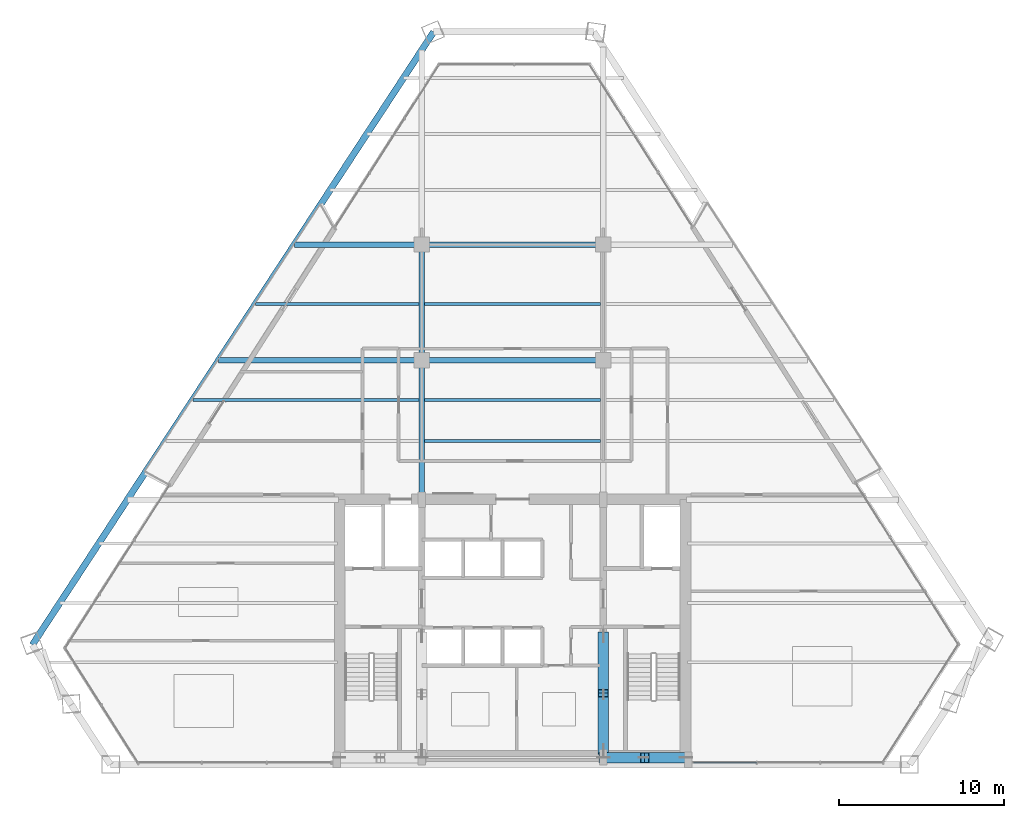
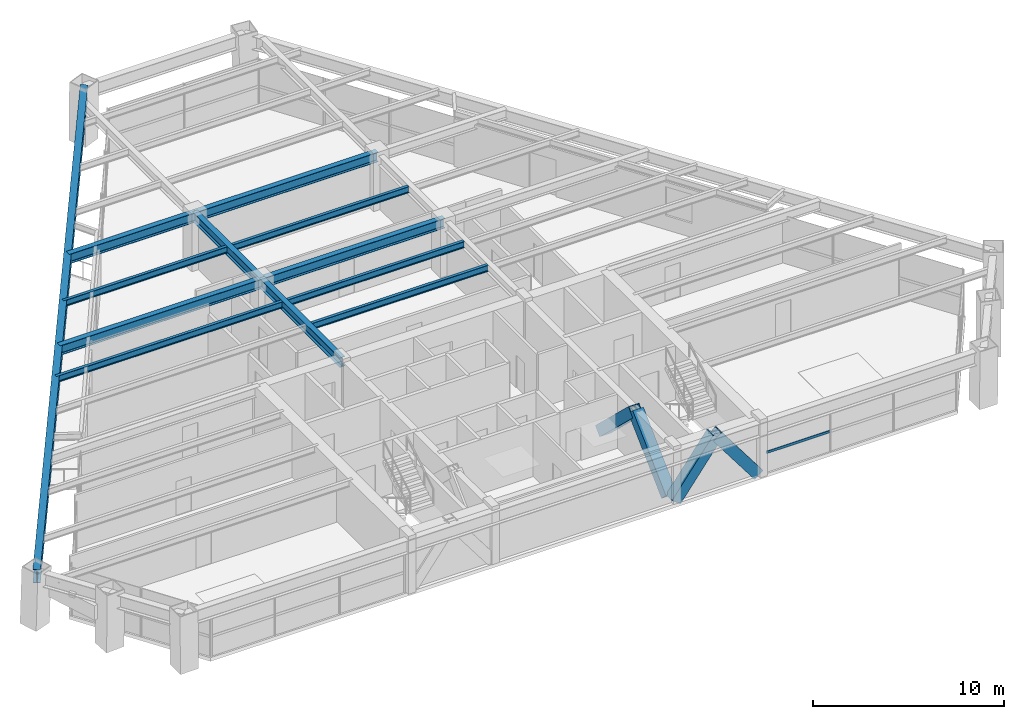
# One storey, part 5 of 15: 12 beams, 5 members, 1 element without a shape of its own.
"""IFC4 building model written with IfcOpenShell, lengths in metres."""

from ifc_helpers import new_model, si_unit, direction, frame, origin, origin_2d, place, context, subcontext, project, spatial, rectangle, hollow_rectangle, i_section, extrude, source, transform, mapped, material, material_profile, profile_set, type_object, type_shapes, element, aggregate, save


model = new_model("IFC4")

# Units and contexts
model_context = context("Model", 3, precision=1e-05, world=origin(), true_north=direction((0.0, 1.0)))
body_context = subcontext(model_context, "Body", "Model", "MODEL_VIEW")
ifc_project = project(units=[si_unit("LENGTHUNIT", "METRE"), si_unit("AREAUNIT", "SQUARE_METRE"), si_unit("VOLUMEUNIT", "CUBIC_METRE"), si_unit("PLANEANGLEUNIT", "RADIAN"), si_unit("MASSUNIT", "GRAM", prefix="KILO")], contexts=[model_context])

# Site, building, storey
site_placement = place(None, origin())
site = spatial("IfcSite", under=ifc_project, at=site_placement, CompositionType="ELEMENT")
building_placement = place(site_placement, origin())
building = spatial("IfcBuilding", under=site, at=building_placement, Name="Varnakhor Terracotta Tower", CompositionType="ELEMENT")
storey_placement = place(building_placement, frame((0.0, 0.0, 155.199951171875)))
storey = spatial("IfcBuildingStorey", under=building, at=storey_placement, Name="L39", CompositionType="ELEMENT", Elevation=155.199951171875)

# Beams
ifc_material_1 = material(Name="Steel S355", Category="steel")
ifc_material_profile_1 = material_profile(ifc_material_1, i_section(OverallWidth=0.324951171875, OverallDepth=0.615966796875, WebThickness=0.013916015625, FlangeThickness=0.02197265625, FilletRadius=0.01806640625, at=origin_2d()), Name="W24X117")
ifc_profile_set_1 = profile_set([ifc_material_profile_1], Name="Steel S355")
beam_type_1 = type_object("IfcBeamType", Name="BM-W24X117", PredefinedType="BEAM", material=ifc_profile_set_1)
shared_shape_1 = source(origin(), body_context, "Body", "SweptSolid", [
    extrude(i_section(OverallWidth=0.324951171875, OverallDepth=0.615966796875, WebThickness=0.013916015625, FlangeThickness=0.02197265625, FilletRadius=0.01806640625, at=origin_2d()), origin(), (0.0, 0.0, 1.0), 8.449951171875),
])
type_shapes(beam_type_1, [shared_shape_1])
beam_1_placement = place(storey_placement, frame((-5.5, 16.050048828125, 3.162109375), z_axis=(0.0, 1.0, 0.0), x_axis=(-1.0, 0.0, 0.0)))
element("IfcBeam", 1, at=beam_1_placement, inside=storey, type_object=beam_type_1, Name="L39 Primary Girder NS1-W", PredefinedType="BEAM", context=body_context, shape_type="MappedRepresentation", body=[
    mapped(shared_shape_1, transform((0.0, 0.0, 0.0), scale=1.0)),
])
shared_shape_2 = source(origin(), body_context, "Body", "SweptSolid", [
    extrude(i_section(OverallWidth=0.324951171875, OverallDepth=0.615966796875, WebThickness=0.013916015625, FlangeThickness=0.02197265625, FilletRadius=0.01806640625, at=origin_2d()), origin(), (0.0, 0.0, 1.0), 7.0),
])
beam_2_placement = place(storey_placement, frame((-5.5, 24.5, 3.162109375), z_axis=(0.0, 1.0, 0.0), x_axis=(-1.0, 0.0, 0.0)))
element("IfcBeam", 2, at=beam_2_placement, inside=storey, type_object=beam_type_1, Name="L39 Primary Girder NS2-W", PredefinedType="BEAM", context=body_context, shape_type="MappedRepresentation", body=[
    mapped(shared_shape_2, transform((0.0, 0.0, 0.0), scale=1.0)),
])
shared_shape_3 = source(origin(), body_context, "Body", "SweptSolid", [
    extrude(i_section(OverallWidth=0.324951171875, OverallDepth=0.615966796875, WebThickness=0.013916015625, FlangeThickness=0.02197265625, FilletRadius=0.01806640625, at=origin_2d()), origin(), (0.0, 0.0, 1.0), 11.0),
])
for number, where, z_axis, x_axis, name in (
    (3, (-5.5, 24.5, 3.162109375), (1.0, 0.0, 0.0), (0.0, 1.0, 0.0), "L39 Primary Girder EW2-2"),
    (4, (-5.5, 31.5, 3.162109375), (1.0, 0.0, 0.0), (0.0, 1.0, 0.0), "L39 Primary Girder EW3-2"),
):
    element("IfcBeam", number, at=place(storey_placement, frame(where, z_axis=z_axis, x_axis=x_axis)), inside=storey, type_object=beam_type_1, Name=name, PredefinedType="BEAM", context=body_context, shape_type="MappedRepresentation", body=[
        mapped(shared_shape_3, transform((0.0, 0.0, 0.0), scale=1.0)),
    ])
ifc_material_profile_2 = material_profile(ifc_material_1, i_section(OverallWidth=0.179931640625, OverallDepth=0.4130859375, WebThickness=0.009765625, FlangeThickness=0.01611328125, FilletRadius=0.01806640625, at=origin_2d()), Name="W16X50")
ifc_profile_set_2 = profile_set([ifc_material_profile_2], Name="Steel S355")
beam_type_2 = type_object("IfcBeamType", Name="JST-W16X50", PredefinedType="JOIST", material=ifc_profile_set_2)
shared_shape_4 = source(origin(), body_context, "Body", "SweptSolid", [
    extrude(i_section(OverallWidth=0.179931640625, OverallDepth=0.4130859375, WebThickness=0.009765625, FlangeThickness=0.01611328125, FilletRadius=0.01806640625, at=origin_2d()), origin(), (0.0, 0.0, 1.0), 10.68310546875),
])
for number, where, z_axis, x_axis, name in (
    (5, (-5.341552734375, 19.60009765625, 3.263427734375), (1.0, 0.0, 0.0), (0.0, 1.0, 0.0), "L39 Composite Floor Joist 4-2"),
    (6, (-5.341552734375, 22.10009765625, 3.263427734375), (1.0, 0.0, 0.0), (0.0, 1.0, 0.0), "L39 Composite Floor Joist 5-2"),
    (7, (-5.341552734375, 27.89990234375, 3.263427734375), (1.0, 0.0, 0.0), (0.0, 1.0, 0.0), "L39 Composite Floor Joist 6-2"),
):
    element("IfcBeam", number, at=place(storey_placement, frame(where, z_axis=z_axis, x_axis=x_axis)), inside=storey, type_object=beam_type_2, Name=name, PredefinedType="JOIST", context=body_context, shape_type="MappedRepresentation", body=[
        mapped(shared_shape_4, transform((0.0, 0.0, 0.0), scale=1.0)),
    ])

# Members
ifc_material_2 = material(Name="Steel S460", Category="steel")
ifc_material_profile_3 = material_profile(ifc_material_2, hollow_rectangle(XDim=0.64990234375, YDim=0.64990234375, WallThickness=0.0400390625, at=origin_2d()), Name="HSS650X650X40")
ifc_profile_set_3 = profile_set([ifc_material_profile_3], Name="Steel S460")
member_type_1 = type_object("IfcMemberType", Name="MBR-MEGA-650", PredefinedType="BRACE", material=ifc_profile_set_3)
shared_shape_5 = source(origin(), body_context, "Body", "SweptSolid", [
    extrude(hollow_rectangle(XDim=0.64990234375, YDim=0.64990234375, WallThickness=0.0400390625, at=origin_2d()), origin(), (0.0, 0.0, 1.0), 4.805908203125),
])
member_1_placement = place(storey_placement, frame((5.5, 0.85009765625, 0.0), z_axis=(0.0, 0.723026776832, 0.69082000549), x_axis=(-1.0, 0.0, 0.0)))
element("IfcMember", 8, at=member_1_placement, inside=storey, type_object=member_type_1, Name="L39 Core Coupled Brace CWEA", PredefinedType="BRACE", context=body_context, shape_type="MappedRepresentation", body=[
    mapped(shared_shape_5, transform((0.0, 0.0, 0.0), scale=1.0)),
])
shared_shape_6 = source(origin(), body_context, "Body", "SweptSolid", [
    extrude(hollow_rectangle(XDim=0.64990234375, YDim=0.64990234375, WallThickness=0.0400390625, at=origin_2d()), origin(), (0.0, 0.0, 1.0), 4.156005859375),
])
for number, where, z_axis, x_axis, name in (
    (9, (5.5, 0.419921875, 0.0), (0.601530923869, 0.0, 0.798849515009), (0.0, 1.0, 0.0), "L39 Core Coupled Brace CSEA"),
    (10, (10.5, 0.419921875, 0.0), (-0.601530923869, 0.0, 0.798849515009), (0.0, -1.0, 0.0), "L39 Core Coupled Brace CSEB"),
):
    element("IfcMember", number, at=place(storey_placement, frame(where, z_axis=z_axis, x_axis=x_axis)), inside=storey, type_object=member_type_1, Name=name, PredefinedType="BRACE", context=body_context, shape_type="MappedRepresentation", body=[
        mapped(shared_shape_6, transform((0.0, 0.0, 0.0), scale=1.0)),
    ])
shared_shape_7 = source(origin(), body_context, "Body", "SweptSolid", [
    extrude(hollow_rectangle(XDim=0.64990234375, YDim=0.64990234375, WallThickness=0.0400390625, at=origin_2d()), origin(), (0.0, 0.0, 1.0), 4.80615234375),
])
member_2_placement = place(storey_placement, frame((5.5, 7.800048828125, 0.0), z_axis=(0.0, -0.723051018573, 0.690794632681), x_axis=(1.0, 0.0, 0.0)))
element("IfcMember", 11, at=member_2_placement, inside=storey, type_object=member_type_1, Name="L39 Core Coupled Brace CWEB", PredefinedType="BRACE", context=body_context, shape_type="MappedRepresentation", body=[
    mapped(shared_shape_7, transform((0.0, 0.0, 0.0), scale=1.0)),
])

# Beams
ifc_material_profile_4 = material_profile(ifc_material_1, i_section(OverallWidth=0.39990234375, OverallDepth=0.85498046875, WebThickness=0.01806640625, FlangeThickness=0.029052734375, FilletRadius=0.01806640625, at=origin_2d()), Name="W33X201")
ifc_profile_set_4 = profile_set([ifc_material_profile_4], Name="Steel S355")
beam_type_3 = type_object("IfcBeamType", Name="BM-W33X201", PredefinedType="BEAM", material=ifc_profile_set_4)
shared_shape_8 = source(origin(), body_context, "Body", "SweptSolid", [
    extrude(i_section(OverallWidth=0.39990234375, OverallDepth=0.85498046875, WebThickness=0.01806640625, FlangeThickness=0.029052734375, FilletRadius=0.01806640625, at=origin_2d()), origin(), (0.0, 0.0, 1.0), 44.392333984375),
])
beam_3_placement = place(storey_placement, frame((-4.779052734375, 44.39111328125, 3.04248046875), z_axis=(-0.547738694401, -0.836649462233, 0.0), x_axis=(0.836649462233, -0.547738694401, 0.0)))
element("IfcBeam", 12, at=beam_3_placement, inside=storey, type_object=beam_type_3, Name="L39 Perimeter Spandrel 6", PredefinedType="BEAM", context=body_context, shape_type="MappedRepresentation", body=[
    mapped(shared_shape_8, transform((0.0, 0.0, 0.0), scale=1.0)),
])
shared_shape_9 = source(origin(), body_context, "Body", "SweptSolid", [
    extrude(i_section(OverallWidth=0.324951171875, OverallDepth=0.615966796875, WebThickness=0.013916015625, FlangeThickness=0.02197265625, FilletRadius=0.01806640625, at=origin_2d()), origin(), (0.0, 0.0, 1.0), 12.301513671875),
])
beam_4_placement = place(storey_placement, frame((-17.801513671875, 24.5, 3.162109375), z_axis=(1.0, 0.0, 0.0), x_axis=(0.0, 1.0, 0.0)))
element("IfcBeam", 13, at=beam_4_placement, inside=storey, type_object=beam_type_1, Name="L39 Primary Girder EW2-1", PredefinedType="BEAM", context=body_context, shape_type="MappedRepresentation", body=[
    mapped(shared_shape_9, transform((0.0, 0.0, 0.0), scale=1.0)),
])
shared_shape_10 = source(origin(), body_context, "Body", "SweptSolid", [
    extrude(i_section(OverallWidth=0.324951171875, OverallDepth=0.615966796875, WebThickness=0.013916015625, FlangeThickness=0.02197265625, FilletRadius=0.01806640625, at=origin_2d()), origin(), (0.0, 0.0, 1.0), 7.718505859375),
])
beam_5_placement = place(storey_placement, frame((-13.218505859375, 31.5, 3.162109375), z_axis=(1.0, 0.0, 0.0), x_axis=(0.0, 1.0, 0.0)))
element("IfcBeam", 14, at=beam_5_placement, inside=storey, type_object=beam_type_1, Name="L39 Primary Girder EW3-1", PredefinedType="BEAM", context=body_context, shape_type="MappedRepresentation", body=[
    mapped(shared_shape_10, transform((0.0, 0.0, 0.0), scale=1.0)),
])
shared_shape_11 = source(origin(), body_context, "Body", "SweptSolid", [
    extrude(i_section(OverallWidth=0.179931640625, OverallDepth=0.4130859375, WebThickness=0.009765625, FlangeThickness=0.01611328125, FilletRadius=0.01806640625, at=origin_2d()), origin(), (0.0, 0.0, 1.0), 13.71435546875),
])
beam_6_placement = place(storey_placement, frame((-19.372802734375, 22.10009765625, 3.263427734375), z_axis=(1.0, 0.0, 0.0), x_axis=(0.0, 1.0, 0.0)))
element("IfcBeam", 15, at=beam_6_placement, inside=storey, type_object=beam_type_2, Name="L39 Composite Floor Joist 5-1", PredefinedType="JOIST", context=body_context, shape_type="MappedRepresentation", body=[
    mapped(shared_shape_11, transform((0.0, 0.0, 0.0), scale=1.0)),
])
shared_shape_12 = source(origin(), body_context, "Body", "SweptSolid", [
    extrude(i_section(OverallWidth=0.179931640625, OverallDepth=0.4130859375, WebThickness=0.009765625, FlangeThickness=0.01611328125, FilletRadius=0.01806640625, at=origin_2d()), origin(), (0.0, 0.0, 1.0), 9.9169921875),
])
beam_7_placement = place(storey_placement, frame((-15.575439453125, 27.89990234375, 3.263427734375), z_axis=(1.0, 0.0, 0.0), x_axis=(0.0, 1.0, 0.0)))
element("IfcBeam", 16, at=beam_7_placement, inside=storey, type_object=beam_type_2, Name="L39 Composite Floor Joist 6-1", PredefinedType="JOIST", context=body_context, shape_type="MappedRepresentation", body=[
    mapped(shared_shape_12, transform((0.0, 0.0, 0.0), scale=1.0)),
])

# Curtain wall, member
ifc_material_3 = material(Name="Anodised Aluminium Curtain Wall System", Category="aluminium")
curtain_wall_type = type_object("IfcCurtainWallType", Name="CW-SYS-MID-OFFICE", PredefinedType="NOTDEFINED", material=ifc_material_3)
curtain_wall_placement = place(storey_placement, origin())
curtain_wall = element("IfcCurtainWall", 17, at=curtain_wall_placement, inside=storey, type_object=curtain_wall_type, Name="L39 South Wing Curtain Wall SSE", PredefinedType="NOTDEFINED")
ifc_material_4 = material(Name="Anodised Aluminium 6063-T6", Category="aluminium")
ifc_material_profile_5 = material_profile(ifc_material_4, rectangle(XDim=0.070068359375, YDim=0.155029296875, at=origin_2d()), Name="ALU TRANSOM 70x155")
ifc_profile_set_5 = profile_set([ifc_material_profile_5], Name="Anodised Aluminium 6063-T6")
member_type_2 = type_object("IfcMemberType", Name="CWT-03", PredefinedType="USERDEFINED", material=ifc_profile_set_5)
shared_shape_13 = source(origin(), body_context, "Body", "SweptSolid", [
    extrude(rectangle(XDim=0.070068359375, YDim=0.155029296875, at=origin_2d()), origin(), (0.0, 0.0, 1.0), 3.8330078125),
])
member_3_placement = place(storey_placement, frame((14.802978515625, 0.1201171875, 1.281005859375), z_axis=(-1.0, 0.0, 0.0), x_axis=(0.0, -1.0, 0.0)))
member_3 = element("IfcMember", 18, at=member_3_placement, type_object=member_type_2, Name="L39 South Wing Curtain Wall SSE Transom 3", ObjectType="TRANSOM", PredefinedType="USERDEFINED", context=body_context, shape_type="MappedRepresentation", body=[
    mapped(shared_shape_13, transform((0.0, 0.0, 0.0), scale=1.0)),
])
aggregate(curtain_wall, [member_3])

save(model, "model.ifc")
